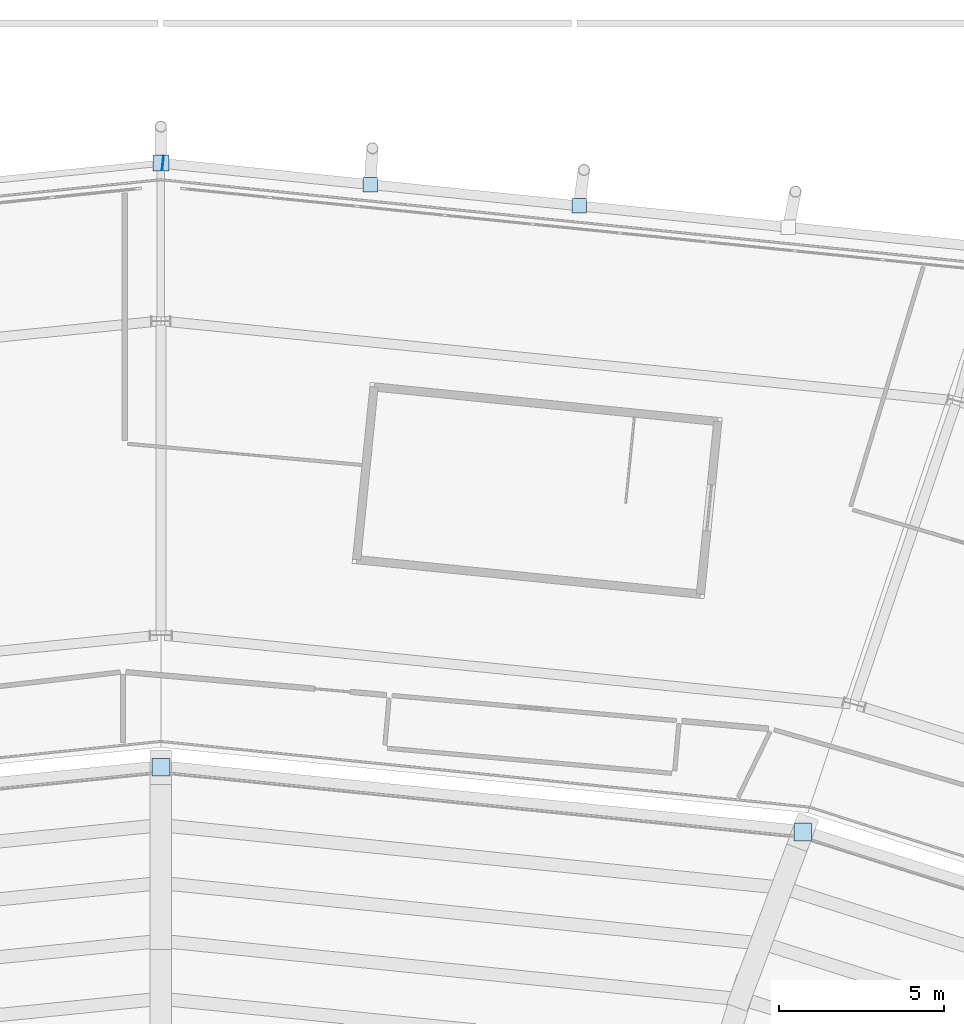
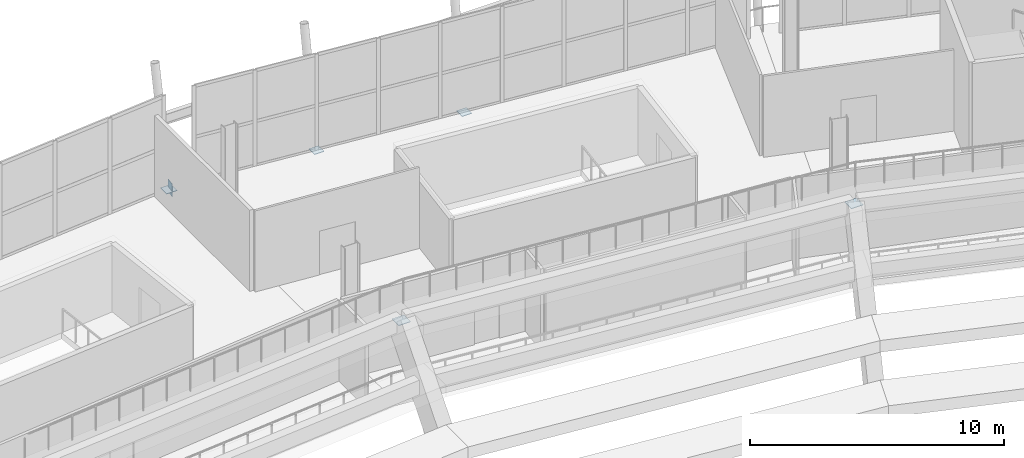
# One storey, part 91 of 126: 6 plates.
"""IFC4 building model written with IfcOpenShell, lengths in metres."""

from ifc_helpers import new_model, si_unit, direction, frame, origin, origin_2d, place, context, subcontext, project, spatial, rectangle, extrude, material, layer, layer_set, type_object, element, save


model = new_model("IFC4")

# Units and contexts
model_context = context("Model", 3, precision=1e-05, world=origin(), true_north=direction((0.0, 1.0)))
body_context = subcontext(model_context, "Body", "Model", "MODEL_VIEW")
ifc_project = project(units=[si_unit("LENGTHUNIT", "METRE"), si_unit("AREAUNIT", "SQUARE_METRE"), si_unit("VOLUMEUNIT", "CUBIC_METRE"), si_unit("PLANEANGLEUNIT", "RADIAN"), si_unit("MASSUNIT", "GRAM", prefix="KILO")], contexts=[model_context])

# Site, building, storey
site_placement = place(None, origin())
site = spatial("IfcSite", under=ifc_project, at=site_placement, CompositionType="ELEMENT")
building_placement = place(site_placement, origin())
building = spatial("IfcBuilding", under=site, at=building_placement, Name="Zlatoyarsky Gate Stadium", CompositionType="ELEMENT")
storey_placement = place(building_placement, frame((0.0, 0.0, 20.800048828125)))
storey = spatial("IfcBuildingStorey", under=building, at=storey_placement, Name="L04", CompositionType="ELEMENT", Elevation=20.800048828125)

# Plates
ifc_material = material(Name="Steel S355", Category="steel")
ifc_layer = layer(ifc_material, 0.02392578125)
ifc_layer_set = layer_set([ifc_layer], Name="Steel S355")
plate_type = type_object("IfcPlateType", Name="STEEL HOLLOW CHORD SPLICE SHEET 24", PredefinedType="SHEET", material=ifc_layer_set)
plate_1_placement = place(storey_placement, frame((111.059814453125, 155.763427734375, -0.85009765625), z_axis=(0.0, 0.0, 1.0), x_axis=(-0.994835341665, 0.101501935813, 0.0)))
element("IfcPlate", 1, at=plate_1_placement, inside=storey, type_object=plate_type, Name="Hollow end cap ND-SP1 CAP-L04-SPD-05 B", PredefinedType="SHEET", context=body_context, shape_type="SweptSolid", body=[
    extrude(rectangle(XDim=0.02392578125, YDim=0.39990234375, at=origin_2d()), origin(), (0.0, 0.0, 1.0), 0.60009765625),
])
plate_2_placement = place(storey_placement, frame((111.0, 155.76953125, -0.612060546875), z_axis=(0.0, 0.0, 1.0), x_axis=(1.0, 0.0, 0.0)))
element("IfcPlate", 2, at=plate_2_placement, inside=storey, type_object=plate_type, Name="Node closure plate ND-SP1 NCAP-L04-RSTR-06", PredefinedType="SHEET", context=body_context, shape_type="SweptSolid", body=[
    extrude(rectangle(XDim=0.47998046875, YDim=0.47998046875, at=origin_2d()), origin(), (0.0, 0.0, 1.0), 0.02392578125),
])
for number, where, z_axis, x_axis, name in (
    (3, (130.411376953125, 135.540771484375, 4.177978515625), (0.0, 0.0, 1.0), (1.0, 0.0, 0.0), "Node closure plate ND-SP1 NCAP-UTOP-05"),
    (4, (111.0, 137.5, 4.177978515625), (0.0, 0.0, 1.0), (1.0, 0.0, 0.0), "Node closure plate ND-SP1 NCAP-UTOP-06"),
):
    element("IfcPlate", number, at=place(storey_placement, frame(where, z_axis=z_axis, x_axis=x_axis)), inside=storey, type_object=plate_type, Name=name, PredefinedType="SHEET", context=body_context, shape_type="SweptSolid", body=[
        extrude(rectangle(XDim=0.5400390625, YDim=0.5400390625, at=origin_2d()), origin(), (0.0, 0.0, 1.0), 0.02392578125),
    ])
for number, where, z_axis, x_axis, name in (
    (5, (123.65234375, 154.478759765625, -0.56201171875), (0.0, 0.0, 1.0), (1.0, 0.0, 0.0), "Node closure plate ND-SP1 NCAP-RIB-05-2-2T"),
    (6, (117.326171875, 155.1240234375, -0.56201171875), (0.0, 0.0, 1.0), (1.0, 0.0, 0.0), "Node closure plate ND-SP1 NCAP-RIB-05-3-2T"),
):
    element("IfcPlate", number, at=place(storey_placement, frame(where, z_axis=z_axis, x_axis=x_axis)), inside=storey, type_object=plate_type, Name=name, PredefinedType="SHEET", context=body_context, shape_type="SweptSolid", body=[
        extrude(rectangle(XDim=0.43994140625, YDim=0.43994140625, at=origin_2d()), origin(), (0.0, 0.0, 1.0), 0.02392578125),
    ])

save(model, "model.ifc")
